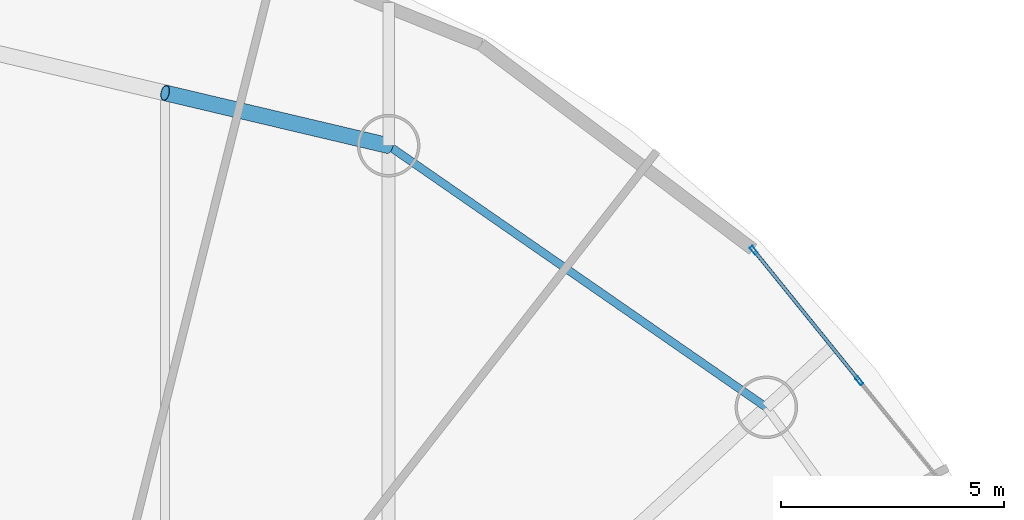
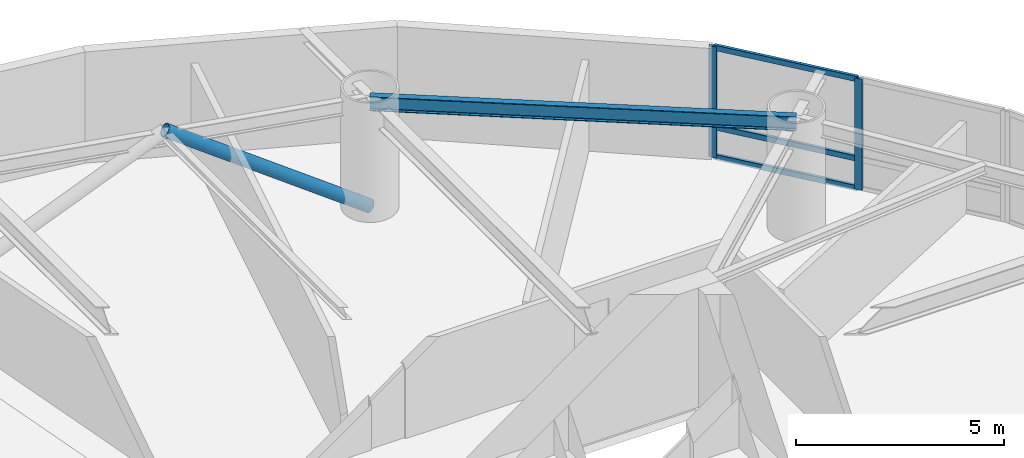
# One storey, part 15 of 24: 6 members, 1 beam, 1 element without a shape of its own.
"""IFC4 building model written with IfcOpenShell, lengths in metres."""

from ifc_helpers import new_model, si_unit, direction, frame, origin, origin_2d, place, context, subcontext, project, spatial, hollow_rectangle, hollow_circle, i_section, extrude, material, layer, layer_set, material_profile, profile_set, type_object, element, aggregate, save


model = new_model("IFC4")

# Units and contexts
model_context = context("Model", 3, precision=1e-05, world=origin(), true_north=direction((0.0, 1.0)))
body_context = subcontext(model_context, "Body", "Model", "MODEL_VIEW")
ifc_project = project(units=[si_unit("LENGTHUNIT", "METRE"), si_unit("AREAUNIT", "SQUARE_METRE"), si_unit("VOLUMEUNIT", "CUBIC_METRE"), si_unit("PLANEANGLEUNIT", "RADIAN"), si_unit("MASSUNIT", "GRAM", prefix="KILO")], contexts=[model_context])

# Site, building, storey
site_placement = place(None, origin())
site = spatial("IfcSite", under=ifc_project, at=site_placement, CompositionType="ELEMENT")
building_placement = place(site_placement, origin())
building = spatial("IfcBuilding", under=site, at=building_placement, Name="Bramvorn Convention Spire", CompositionType="ELEMENT")
storey_placement = place(building_placement, frame((0.0, 0.0, 148.300048828125)))
storey = spatial("IfcBuildingStorey", under=building, at=storey_placement, Name="L37", CompositionType="ELEMENT", Elevation=148.300048828125)

# Beam
ifc_material_1 = material(Name="Steel CSA G40.21 Grade 350 (350W)", Category="steel")
ifc_material_profile_1 = material_profile(ifc_material_1, i_section(OverallWidth=0.180908203125, OverallDepth=0.4169921875, WebThickness=0.010986328125, FlangeThickness=0.018310546875, FilletRadius=0.01611328125, at=origin_2d()))
ifc_profile_set_1 = profile_set([ifc_material_profile_1], Name="Steel CSA G40.21 Grade 350 (350W) - W410X85")
beam_type = type_object("IfcBeamType", Name="BM-W410X85", PredefinedType="JOIST", material=ifc_profile_set_1)
beam_placement = place(storey_placement, frame((54.534912109375, 38.299072265625, 3.051513671875), z_axis=(-0.822033166673, 0.569439613032, 0.0), x_axis=(-0.569439613032, -0.822033166673, 0.0)))
element("IfcBeam", 1, at=beam_placement, inside=storey, type_object=beam_type, Name="L37 mega-column ring beam 04", PredefinedType="JOIST", context=body_context, shape_type="SweptSolid", body=[
    extrude(i_section(OverallWidth=0.180908203125, OverallDepth=0.4169921875, WebThickness=0.010986328125, FlangeThickness=0.018310546875, FilletRadius=0.01611328125, at=origin_2d()), origin(), (0.0, 0.0, 1.0), 10.281982421875),
])

# Curtain wall, members
ifc_material_2 = material(Name="Anodised Bronze Unitised Curtain Wall", Category="aluminium")
ifc_layer = layer(ifc_material_2, 0.179931640625)
ifc_layer_set = layer_set([ifc_layer], Name="Anodised Bronze Unitised Curtain Wall - CW-HTL-FRIT")
curtain_wall_type = type_object("IfcCurtainWallType", Name="CW-HTL-FRIT", PredefinedType="USERDEFINED", material=ifc_layer_set)
curtain_wall_placement = place(storey_placement, origin())
curtain_wall = element("IfcCurtainWall", 2, at=curtain_wall_placement, inside=storey, type_object=curtain_wall_type, Name="L37 fritted glass curtain wall 05", ObjectType="UNITISED CURTAIN WALL", PredefinedType="USERDEFINED")
ifc_material_3 = material(Name="Anodised Bronze Aluminium 6063-T6", Category="aluminium")
ifc_material_profile_2 = material_profile(ifc_material_3, hollow_rectangle(XDim=0.080078125, YDim=0.199951171875, WallThickness=0.00390625, InnerFilletRadius=0.0009765625, OuterFilletRadius=0.00390625, at=origin_2d()))
ifc_profile_set_2 = profile_set([ifc_material_profile_2], Name="Anodised Bronze Aluminium 6063-T6 - CWM80X200")
member_type_1 = type_object("IfcMemberType", Name="CW-MUL-180", PredefinedType="MULLION", material=ifc_profile_set_2)
member_1_placement = place(storey_placement, frame((54.255126953125, 41.8125, 0.0), z_axis=(0.0, 0.0, 1.0), x_axis=(0.777688019181, 0.628650415431, 0.0)))
member_1 = element("IfcMember", 3, at=member_1_placement, type_object=member_type_1, Name="CW2 mullion 1", PredefinedType="MULLION", context=body_context, shape_type="SweptSolid", body=[
    extrude(hollow_rectangle(XDim=0.080078125, YDim=0.199951171875, WallThickness=0.00390625, InnerFilletRadius=0.0009765625, OuterFilletRadius=0.00390625, at=origin_2d()), origin(), (0.0, 0.0, 1.0), 3.260009765625),
])
member_2_placement = place(storey_placement, frame((56.615478515625, 38.892578125, 0.0), z_axis=(0.0, 0.0, 1.0), x_axis=(0.777688019181, 0.628650415431, 0.0)))
member_2 = element("IfcMember", 4, at=member_2_placement, type_object=member_type_1, Name="CW2 mullion 2", PredefinedType="MULLION", context=body_context, shape_type="SweptSolid", body=[
    extrude(hollow_rectangle(XDim=0.080078125, YDim=0.199951171875, WallThickness=0.00390625, InnerFilletRadius=0.0009765625, OuterFilletRadius=0.00390625, at=origin_2d()), origin(), (0.0, 0.0, 1.0), 3.260009765625),
])
ifc_material_profile_3 = material_profile(ifc_material_3, hollow_rectangle(XDim=0.080078125, YDim=0.159912109375, WallThickness=0.00390625, InnerFilletRadius=0.0009765625, OuterFilletRadius=0.00390625, at=origin_2d()))
ifc_profile_set_3 = profile_set([ifc_material_profile_3], Name="Anodised Bronze Aluminium 6063-T6 - CWT80X160")
member_type_2 = type_object("IfcMemberType", Name="CW-TRN-150", PredefinedType="USERDEFINED", material=ifc_profile_set_3)
member_3_placement = place(storey_placement, frame((54.27392578125, 41.789306640625, 0.030029296875), z_axis=(0.628627771927, -0.777706322696, 0.0), x_axis=(0.777706322696, 0.628627771927, 0.0)))
member_3 = element("IfcMember", 5, at=member_3_placement, type_object=member_type_2, Name="CW2 transom 1.1", ObjectType="TRANSOM", PredefinedType="USERDEFINED", context=body_context, shape_type="SweptSolid", body=[
    extrude(hollow_rectangle(XDim=0.080078125, YDim=0.159912109375, WallThickness=0.00390625, InnerFilletRadius=0.0009765625, OuterFilletRadius=0.00390625, at=origin_2d()), origin(), (0.0, 0.0, 1.0), 3.694580078125),
])
member_4_placement = place(storey_placement, frame((54.27392578125, 41.789306640625, 0.89990234375), z_axis=(0.628627771927, -0.777706322696, 0.0), x_axis=(0.777706322696, 0.628627771927, 0.0)))
member_4 = element("IfcMember", 6, at=member_4_placement, type_object=member_type_2, Name="CW2 transom 1.2", ObjectType="TRANSOM", PredefinedType="USERDEFINED", context=body_context, shape_type="SweptSolid", body=[
    extrude(hollow_rectangle(XDim=0.080078125, YDim=0.159912109375, WallThickness=0.00390625, InnerFilletRadius=0.0009765625, OuterFilletRadius=0.00390625, at=origin_2d()), origin(), (0.0, 0.0, 1.0), 3.694580078125),
])
member_5_placement = place(storey_placement, frame((54.27392578125, 41.789306640625, 3.22998046875), z_axis=(0.628627771927, -0.777706322696, 0.0), x_axis=(0.777706322696, 0.628627771927, 0.0)))
member_5 = element("IfcMember", 7, at=member_5_placement, type_object=member_type_2, Name="CW2 transom 1.3", ObjectType="TRANSOM", PredefinedType="USERDEFINED", context=body_context, shape_type="SweptSolid", body=[
    extrude(hollow_rectangle(XDim=0.080078125, YDim=0.159912109375, WallThickness=0.00390625, InnerFilletRadius=0.0009765625, OuterFilletRadius=0.00390625, at=origin_2d()), origin(), (0.0, 0.0, 1.0), 3.694580078125),
])
aggregate(curtain_wall, [member_1, member_2, member_3, member_4, member_5])

# Member
ifc_material_profile_4 = material_profile(ifc_material_1, hollow_circle(Radius=0.177734375, WallThickness=0.015869140625, at=origin_2d()))
ifc_profile_set_4 = profile_set([ifc_material_profile_4], Name="Steel CSA G40.21 Grade 350 (350W) - CHS356X16")
member_type_3 = type_object("IfcMemberType", Name="MBR-CHS356X16", PredefinedType="BRACE", material=ifc_profile_set_4)
member_6_placement = place(storey_placement, frame((46.082763671875, 44.154052734375, 0.0), z_axis=(-0.82191146009, 0.194108103193, 0.53552179792), x_axis=(-0.229843911572, -0.97322750491, 0.0)))
element("IfcMember", 8, at=member_6_placement, inside=storey, type_object=member_type_3, Name="L37 perimeter Gothic lancet brace 5A", PredefinedType="BRACE", context=body_context, shape_type="SweptSolid", body=[
    extrude(hollow_circle(Radius=0.177734375, WallThickness=0.015869140625, at=origin_2d()), origin(), (0.0, 0.0, 1.0), 6.087646484375),
])

save(model, "model.ifc")
